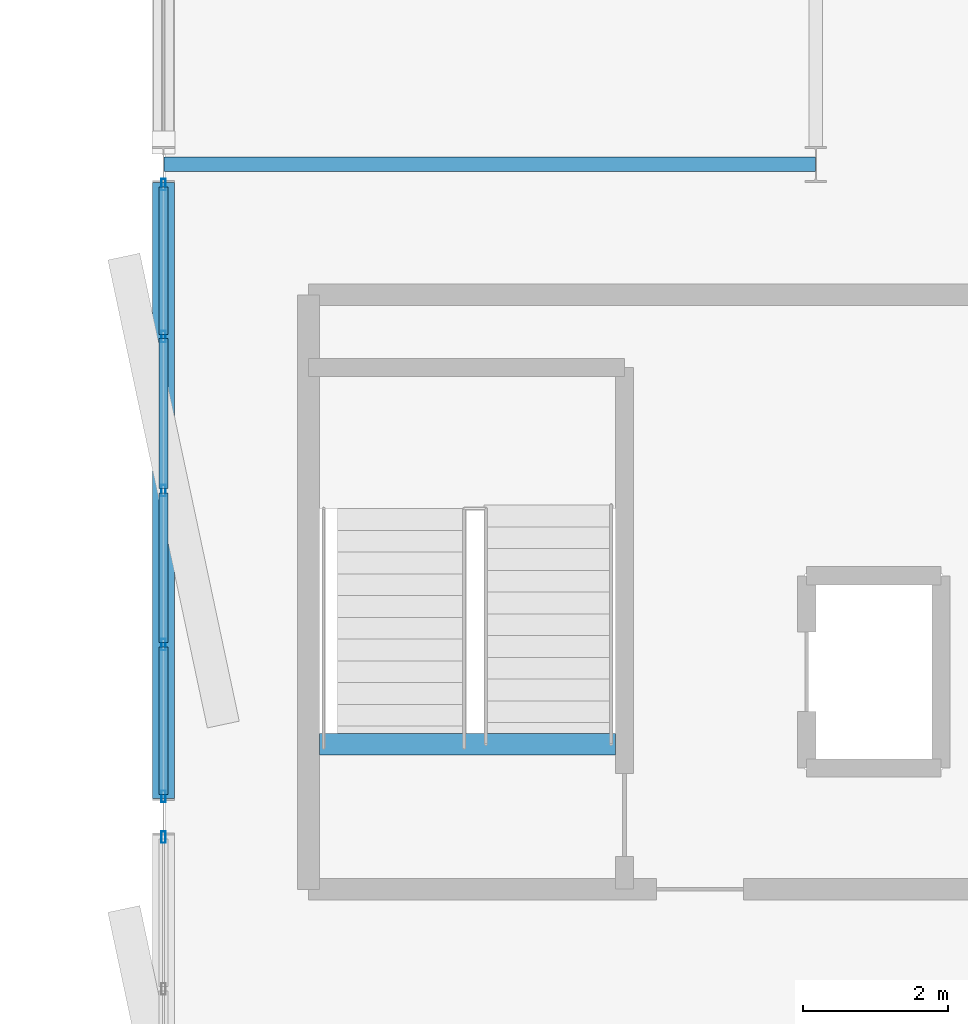
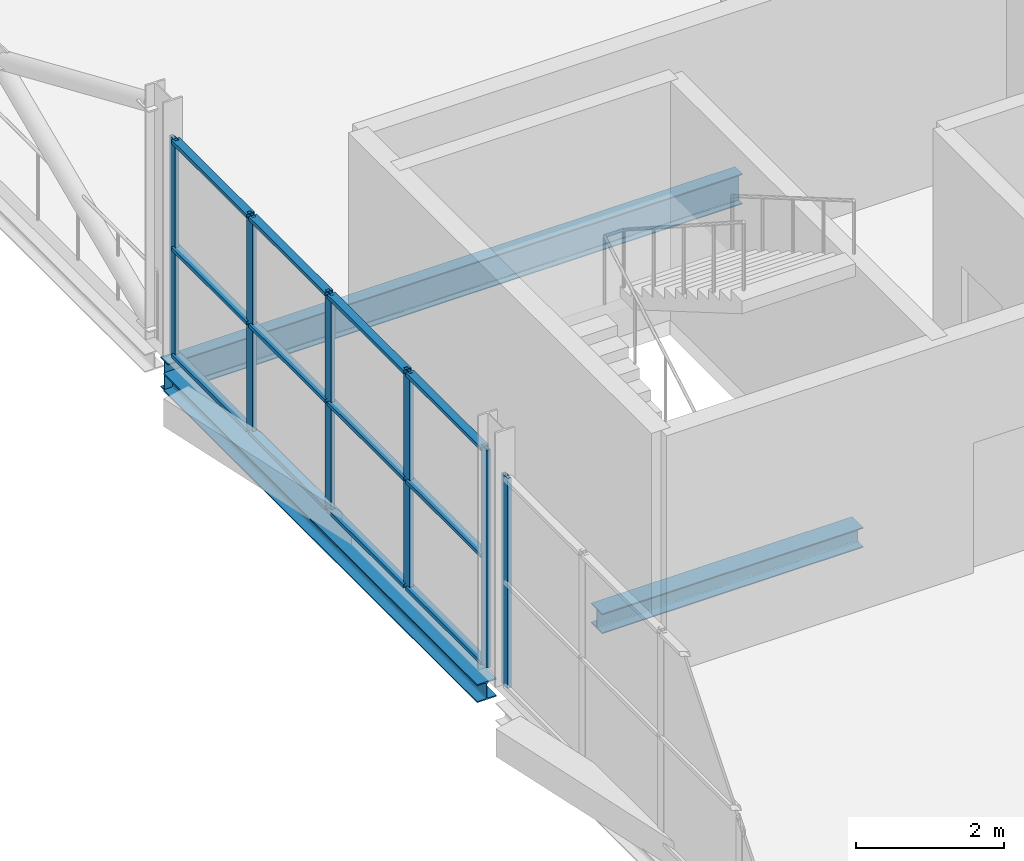
# One storey, part 81 of 140: 18 members, 3 beams, 2 elements without a shape of their own.
"""IFC4 building model written with IfcOpenShell, lengths in metres."""

from ifc_helpers import new_model, si_unit, direction, frame, origin, origin_2d, place, context, subcontext, project, spatial, hollow_rectangle, i_section, extrude, material, layer, layer_set, material_profile, profile_set, type_object, element, aggregate, save


model = new_model("IFC4")

# Units and contexts
model_context = context("Model", 3, precision=1e-05, world=origin(), true_north=direction((0.0, 1.0)))
body_context = subcontext(model_context, "Body", "Model", "MODEL_VIEW")
ifc_project = project(units=[si_unit("LENGTHUNIT", "METRE"), si_unit("AREAUNIT", "SQUARE_METRE"), si_unit("VOLUMEUNIT", "CUBIC_METRE"), si_unit("PLANEANGLEUNIT", "RADIAN"), si_unit("MASSUNIT", "GRAM", prefix="KILO")], contexts=[model_context])

# Site, building, storey
site_placement = place(None, origin())
site = spatial("IfcSite", under=ifc_project, at=site_placement, CompositionType="ELEMENT")
building_placement = place(site_placement, origin())
building = spatial("IfcBuilding", under=site, at=building_placement, Name="Deido Ridge Mobility Hub", CompositionType="ELEMENT")
storey_placement = place(building_placement, origin())
storey = spatial("IfcBuildingStorey", under=building, at=storey_placement, Name="L00", CompositionType="ELEMENT", Elevation=0.0)

# Beams
ifc_material_1 = material(Name="Steel S355J2 EN 10025-2", Category="steel")
ifc_material_profile_1 = material_profile(ifc_material_1, i_section(OverallWidth=0.300048828125, OverallDepth=0.330078125, WebThickness=0.009521484375, FlangeThickness=0.0166015625, FilletRadius=0.027099609375, at=origin_2d()), Name="HEA 340")
ifc_profile_set_1 = profile_set([ifc_material_profile_1], Name="Steel S355J2 EN 10025-2")
beam_type_1 = type_object("IfcBeamType", Name="BM-HEA340", PredefinedType="BEAM", material=ifc_profile_set_1)
beam_1_placement = place(storey_placement, frame((74.14990234375, 64.0, -0.425048828125), z_axis=(1.0, 0.0, 0.0), x_axis=(0.0, 1.0, 0.0)))
element("IfcBeam", 1, at=beam_1_placement, inside=storey, type_object=beam_type_1, Name="C4 stair landing trimmer beam B6", PredefinedType="BEAM", context=body_context, shape_type="SweptSolid", body=[
    extrude(i_section(OverallWidth=0.300048828125, OverallDepth=0.330078125, WebThickness=0.009521484375, FlangeThickness=0.0166015625, FilletRadius=0.027099609375, at=origin_2d()), origin(), (0.0, 0.0, 1.0), 4.085205078125),
])
ifc_material_profile_2 = material_profile(ifc_material_1, i_section(OverallWidth=0.199951171875, OverallDepth=0.5, WebThickness=0.01025390625, FlangeThickness=0.01611328125, FilletRadius=0.02099609375, at=origin_2d()), Name="IPE 500")
ifc_profile_set_2 = profile_set([ifc_material_profile_2], Name="Steel S355J2 EN 10025-2")
beam_type_2 = type_object("IfcBeamType", Name="BM-IPE500", PredefinedType="BEAM", material=ifc_profile_set_2)
beam_2_placement = place(storey_placement, frame((72.007080078125, 72.0, -0.510009765625), z_axis=(1.0, 0.0, 0.0), x_axis=(0.0, 1.0, 0.0)))
element("IfcBeam", 2, at=beam_2_placement, inside=storey, type_object=beam_type_2, Name="Floor beam B3", PredefinedType="BEAM", context=body_context, shape_type="SweptSolid", body=[
    extrude(i_section(OverallWidth=0.199951171875, OverallDepth=0.5, WebThickness=0.01025390625, FlangeThickness=0.01611328125, FilletRadius=0.02099609375, at=origin_2d()), origin(), (0.0, 0.0, 1.0), 8.98583984375),
])

# Curtain wall, member
ifc_material_2 = material(Name="Anodised aluminium EN AW-6063 T6", Category="aluminium")
ifc_layer = layer(ifc_material_2, 0.1650390625, Name="Anodised aluminium EN AW-6063 T6")
ifc_layer_set = layer_set([ifc_layer], Name="Anodised aluminium EN AW-6063 T6")
curtain_wall_type = type_object("IfcCurtainWallType", Name="CW-UF-1", PredefinedType="USERDEFINED", material=ifc_layer_set)
curtain_wall_1_placement = place(storey_placement, origin())
curtain_wall_1 = element("IfcCurtainWall", 3, at=curtain_wall_1_placement, inside=storey, type_object=curtain_wall_type, Name="Unitised curtain wall CW1", ObjectType="UNITISED FACADE", PredefinedType="USERDEFINED")
ifc_material_profile_3 = material_profile(ifc_material_2, hollow_rectangle(XDim=0.06005859375, YDim=0.159912109375, WallThickness=0.00390625, at=origin_2d()), Name="RHS 60x160x4")
ifc_profile_set_3 = profile_set([ifc_material_profile_3], Name="Anodised aluminium EN AW-6063 T6")
member_type_1 = type_object("IfcMemberType", Name="MEM-MUL-60X160", PredefinedType="MULLION", material=ifc_profile_set_3)
member_1_placement = place(storey_placement, frame((72.0, 62.719970703125, 0.0), z_axis=(0.0, 0.0, 1.0), x_axis=(-1.0, 0.0, 0.0)))
member_1 = element("IfcMember", 4, at=member_1_placement, type_object=member_type_1, Name="CW1 mullion 5", PredefinedType="MULLION", context=body_context, shape_type="SweptSolid", body=[
    extrude(hollow_rectangle(XDim=0.06005859375, YDim=0.159912109375, WallThickness=0.00390625, at=origin_2d()), origin(), (0.0, 0.0, 1.0), 3.47509765625),
])
aggregate(curtain_wall_1, [member_1])

# Curtain wall, members
curtain_wall_2_placement = place(storey_placement, origin())
curtain_wall_2 = element("IfcCurtainWall", 5, at=curtain_wall_2_placement, inside=storey, type_object=curtain_wall_type, Name="Unitised curtain wall CW1", ObjectType="UNITISED FACADE", PredefinedType="USERDEFINED")
member_2_placement = place(storey_placement, frame((72.0, 63.280029296875, 0.0), z_axis=(0.0, 0.0, 1.0), x_axis=(-1.0, 0.0, 0.0)))
member_2 = element("IfcMember", 6, at=member_2_placement, type_object=member_type_1, Name="CW1 mullion 1", PredefinedType="MULLION", context=body_context, shape_type="SweptSolid", body=[
    extrude(hollow_rectangle(XDim=0.06005859375, YDim=0.159912109375, WallThickness=0.00390625, at=origin_2d()), origin(), (0.0, 0.0, 1.0), 3.60009765625),
])
member_3_placement = place(storey_placement, frame((72.0, 65.375, 0.0), z_axis=(0.0, 0.0, 1.0), x_axis=(-1.0, 0.0, 0.0)))
member_3 = element("IfcMember", 7, at=member_3_placement, type_object=member_type_1, Name="CW1 mullion 2", PredefinedType="MULLION", context=body_context, shape_type="SweptSolid", body=[
    extrude(hollow_rectangle(XDim=0.06005859375, YDim=0.159912109375, WallThickness=0.00390625, at=origin_2d()), origin(), (0.0, 0.0, 1.0), 3.60009765625),
])
member_4_placement = place(storey_placement, frame((72.0, 67.5, 0.0), z_axis=(0.0, 0.0, 1.0), x_axis=(-1.0, 0.0, 0.0)))
member_4 = element("IfcMember", 8, at=member_4_placement, type_object=member_type_1, Name="CW1 mullion 3", PredefinedType="MULLION", context=body_context, shape_type="SweptSolid", body=[
    extrude(hollow_rectangle(XDim=0.06005859375, YDim=0.159912109375, WallThickness=0.00390625, at=origin_2d()), origin(), (0.0, 0.0, 1.0), 3.60009765625),
])
member_5_placement = place(storey_placement, frame((72.0, 69.625, 0.0), z_axis=(0.0, 0.0, 1.0), x_axis=(-1.0, 0.0, 0.0)))
member_5 = element("IfcMember", 9, at=member_5_placement, type_object=member_type_1, Name="CW1 mullion 4", PredefinedType="MULLION", context=body_context, shape_type="SweptSolid", body=[
    extrude(hollow_rectangle(XDim=0.06005859375, YDim=0.159912109375, WallThickness=0.00390625, at=origin_2d()), origin(), (0.0, 0.0, 1.0), 3.60009765625),
])
member_6_placement = place(storey_placement, frame((72.0, 71.719970703125, 0.0), z_axis=(0.0, 0.0, 1.0), x_axis=(-1.0, 0.0, 0.0)))
member_6 = element("IfcMember", 10, at=member_6_placement, type_object=member_type_1, Name="CW1 mullion 5", PredefinedType="MULLION", context=body_context, shape_type="SweptSolid", body=[
    extrude(hollow_rectangle(XDim=0.06005859375, YDim=0.159912109375, WallThickness=0.00390625, at=origin_2d()), origin(), (0.0, 0.0, 1.0), 3.60009765625),
])
ifc_material_profile_4 = material_profile(ifc_material_2, hollow_rectangle(XDim=0.125, YDim=0.06005859375, WallThickness=0.00390625, at=origin_2d()), Name="RHS 125x60x4")
ifc_profile_set_4 = profile_set([ifc_material_profile_4], Name="Anodised aluminium EN AW-6063 T6")
member_type_2 = type_object("IfcMemberType", Name="MEM-TRN-125X60", PredefinedType="USERDEFINED", material=ifc_profile_set_4)
member_7_placement = place(storey_placement, frame((72.0, 63.31005859375, 0.030029296875), z_axis=(0.0, 1.0, 0.0), x_axis=(-1.0, 0.0, 0.0)))
member_7 = element("IfcMember", 11, at=member_7_placement, type_object=member_type_2, Name="CW1 transom 1.1", ObjectType="TRANSOM", PredefinedType="USERDEFINED", context=body_context, shape_type="SweptSolid", body=[
    extrude(hollow_rectangle(XDim=0.125, YDim=0.06005859375, WallThickness=0.00390625, at=origin_2d()), origin(), (0.0, 0.0, 1.0), 2.034912109375),
])
member_8_placement = place(storey_placement, frame((72.0, 63.31005859375, 1.800048828125), z_axis=(0.0, 1.0, 0.0), x_axis=(-1.0, 0.0, 0.0)))
member_8 = element("IfcMember", 12, at=member_8_placement, type_object=member_type_2, Name="CW1 transom 1.2", ObjectType="TRANSOM", PredefinedType="USERDEFINED", context=body_context, shape_type="SweptSolid", body=[
    extrude(hollow_rectangle(XDim=0.125, YDim=0.06005859375, WallThickness=0.00390625, at=origin_2d()), origin(), (0.0, 0.0, 1.0), 2.034912109375),
])
member_9_placement = place(storey_placement, frame((72.0, 63.31005859375, 3.570068359375), z_axis=(0.0, 1.0, 0.0), x_axis=(-1.0, 0.0, 0.0)))
member_9 = element("IfcMember", 13, at=member_9_placement, type_object=member_type_2, Name="CW1 transom 1.3", ObjectType="TRANSOM", PredefinedType="USERDEFINED", context=body_context, shape_type="SweptSolid", body=[
    extrude(hollow_rectangle(XDim=0.125, YDim=0.06005859375, WallThickness=0.00390625, at=origin_2d()), origin(), (0.0, 0.0, 1.0), 2.034912109375),
])
member_10_placement = place(storey_placement, frame((72.0, 65.405029296875, 0.030029296875), z_axis=(0.0, 1.0, 0.0), x_axis=(-1.0, 0.0, 0.0)))
member_10 = element("IfcMember", 14, at=member_10_placement, type_object=member_type_2, Name="CW1 transom 2.1", ObjectType="TRANSOM", PredefinedType="USERDEFINED", context=body_context, shape_type="SweptSolid", body=[
    extrude(hollow_rectangle(XDim=0.125, YDim=0.06005859375, WallThickness=0.00390625, at=origin_2d()), origin(), (0.0, 0.0, 1.0), 2.06494140625),
])
member_11_placement = place(storey_placement, frame((72.0, 65.405029296875, 1.800048828125), z_axis=(0.0, 1.0, 0.0), x_axis=(-1.0, 0.0, 0.0)))
member_11 = element("IfcMember", 15, at=member_11_placement, type_object=member_type_2, Name="CW1 transom 2.2", ObjectType="TRANSOM", PredefinedType="USERDEFINED", context=body_context, shape_type="SweptSolid", body=[
    extrude(hollow_rectangle(XDim=0.125, YDim=0.06005859375, WallThickness=0.00390625, at=origin_2d()), origin(), (0.0, 0.0, 1.0), 2.06494140625),
])
member_12_placement = place(storey_placement, frame((72.0, 65.405029296875, 3.570068359375), z_axis=(0.0, 1.0, 0.0), x_axis=(-1.0, 0.0, 0.0)))
member_12 = element("IfcMember", 16, at=member_12_placement, type_object=member_type_2, Name="CW1 transom 2.3", ObjectType="TRANSOM", PredefinedType="USERDEFINED", context=body_context, shape_type="SweptSolid", body=[
    extrude(hollow_rectangle(XDim=0.125, YDim=0.06005859375, WallThickness=0.00390625, at=origin_2d()), origin(), (0.0, 0.0, 1.0), 2.06494140625),
])
member_13_placement = place(storey_placement, frame((72.0, 67.530029296875, 0.030029296875), z_axis=(0.0, 1.0, 0.0), x_axis=(-1.0, 0.0, 0.0)))
member_13 = element("IfcMember", 17, at=member_13_placement, type_object=member_type_2, Name="CW1 transom 3.1", ObjectType="TRANSOM", PredefinedType="USERDEFINED", context=body_context, shape_type="SweptSolid", body=[
    extrude(hollow_rectangle(XDim=0.125, YDim=0.06005859375, WallThickness=0.00390625, at=origin_2d()), origin(), (0.0, 0.0, 1.0), 2.06494140625),
])
member_14_placement = place(storey_placement, frame((72.0, 67.530029296875, 1.800048828125), z_axis=(0.0, 1.0, 0.0), x_axis=(-1.0, 0.0, 0.0)))
member_14 = element("IfcMember", 18, at=member_14_placement, type_object=member_type_2, Name="CW1 transom 3.2", ObjectType="TRANSOM", PredefinedType="USERDEFINED", context=body_context, shape_type="SweptSolid", body=[
    extrude(hollow_rectangle(XDim=0.125, YDim=0.06005859375, WallThickness=0.00390625, at=origin_2d()), origin(), (0.0, 0.0, 1.0), 2.06494140625),
])
member_15_placement = place(storey_placement, frame((72.0, 67.530029296875, 3.570068359375), z_axis=(0.0, 1.0, 0.0), x_axis=(-1.0, 0.0, 0.0)))
member_15 = element("IfcMember", 19, at=member_15_placement, type_object=member_type_2, Name="CW1 transom 3.3", ObjectType="TRANSOM", PredefinedType="USERDEFINED", context=body_context, shape_type="SweptSolid", body=[
    extrude(hollow_rectangle(XDim=0.125, YDim=0.06005859375, WallThickness=0.00390625, at=origin_2d()), origin(), (0.0, 0.0, 1.0), 2.06494140625),
])
member_16_placement = place(storey_placement, frame((72.0, 69.655029296875, 0.030029296875), z_axis=(0.0, 1.0, 0.0), x_axis=(-1.0, 0.0, 0.0)))
member_16 = element("IfcMember", 20, at=member_16_placement, type_object=member_type_2, Name="CW1 transom 4.1", ObjectType="TRANSOM", PredefinedType="USERDEFINED", context=body_context, shape_type="SweptSolid", body=[
    extrude(hollow_rectangle(XDim=0.125, YDim=0.06005859375, WallThickness=0.00390625, at=origin_2d()), origin(), (0.0, 0.0, 1.0), 2.034912109375),
])
member_17_placement = place(storey_placement, frame((72.0, 69.655029296875, 1.800048828125), z_axis=(0.0, 1.0, 0.0), x_axis=(-1.0, 0.0, 0.0)))
member_17 = element("IfcMember", 21, at=member_17_placement, type_object=member_type_2, Name="CW1 transom 4.2", ObjectType="TRANSOM", PredefinedType="USERDEFINED", context=body_context, shape_type="SweptSolid", body=[
    extrude(hollow_rectangle(XDim=0.125, YDim=0.06005859375, WallThickness=0.00390625, at=origin_2d()), origin(), (0.0, 0.0, 1.0), 2.034912109375),
])
member_18_placement = place(storey_placement, frame((72.0, 69.655029296875, 3.570068359375), z_axis=(0.0, 1.0, 0.0), x_axis=(-1.0, 0.0, 0.0)))
member_18 = element("IfcMember", 22, at=member_18_placement, type_object=member_type_2, Name="CW1 transom 4.3", ObjectType="TRANSOM", PredefinedType="USERDEFINED", context=body_context, shape_type="SweptSolid", body=[
    extrude(hollow_rectangle(XDim=0.125, YDim=0.06005859375, WallThickness=0.00390625, at=origin_2d()), origin(), (0.0, 0.0, 1.0), 2.034912109375),
])
aggregate(curtain_wall_2, [member_2, member_3, member_4, member_5, member_6, member_7, member_8, member_9, member_10, member_11, member_12, member_13, member_14, member_15, member_16, member_17, member_18])

# Beam
ifc_material_profile_5 = material_profile(ifc_material_1, i_section(OverallWidth=0.300048828125, OverallDepth=0.300048828125, WebThickness=0.010986328125, FlangeThickness=0.01904296875, FilletRadius=0.027099609375, at=origin_2d()), Name="HEB 300")
ifc_profile_set_5 = profile_set([ifc_material_profile_5], Name="Steel S355J2 EN 10025-2")
beam_type_3 = type_object("IfcBeamType", Name="SPD-HEB300", PredefinedType="SPANDREL", material=ifc_profile_set_5)
beam_3_placement = place(storey_placement, frame((72.0, 63.25, -0.409912109375), z_axis=(0.0, 1.0, 0.0), x_axis=(-1.0, 0.0, 0.0)))
element("IfcBeam", 23, at=beam_3_placement, inside=storey, type_object=beam_type_3, Name="Floor beam SP1", PredefinedType="SPANDREL", context=body_context, shape_type="SweptSolid", body=[
    extrude(i_section(OverallWidth=0.300048828125, OverallDepth=0.300048828125, WebThickness=0.010986328125, FlangeThickness=0.01904296875, FilletRadius=0.027099609375, at=origin_2d()), origin(), (0.0, 0.0, 1.0), 8.5),
])

save(model, "model.ifc")
